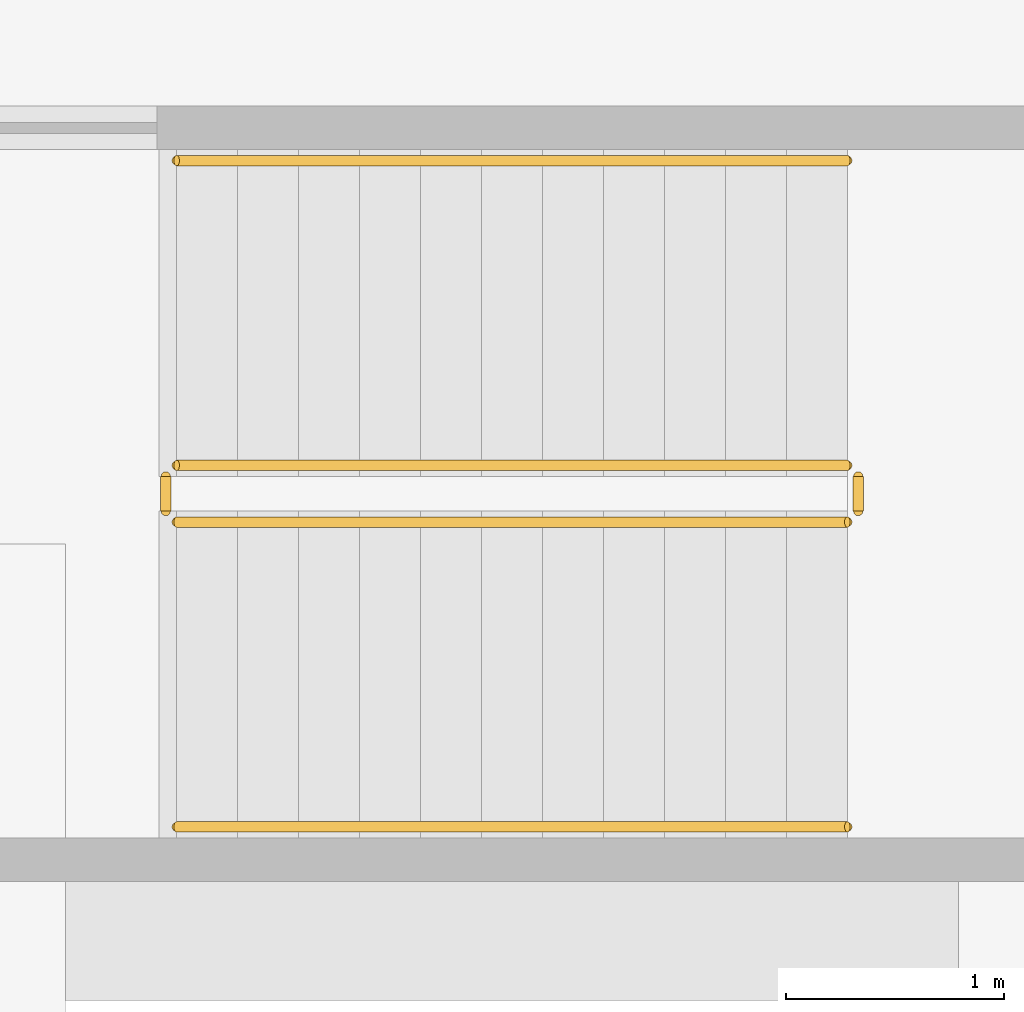
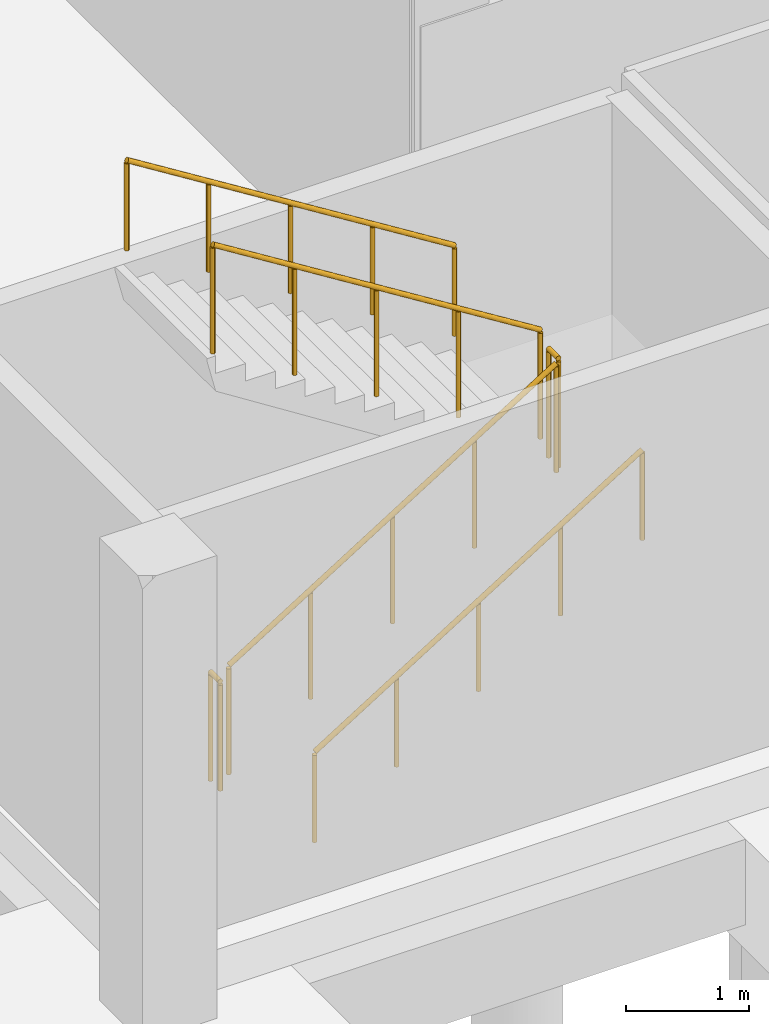
# One storey, part 23 of 27: 6 railings.
"""IFC4 building model written with IfcOpenShell, lengths in metres."""

import ifcopenshell
import ifcopenshell.guid

model = None  # the IFC model being written
_history = None  # IfcOwnerHistory: only IFC2X3 demands one
_inside = {}  # id of a spatial element -> (the spatial element, [elements in it])
_under = {}  # id of a project, library or spatial element -> (it, [spatial elements below it])
_declared = {}  # id of a project -> (the project, [libraries it declares])
_typed = {}  # id of a type object -> (the type object, [elements of that type])
_made_of = {}  # id of a material, layer set ... -> (it, [elements and type objects made of it])


def new_model(schema):
    """Start an empty IFC model of exactly this schema.

    Asked for "IFC4X3", IfcOpenShell would pick the latest addendum, in which some entities
    have other attributes; the version numbers below select the first issue.
    IFC2X3 requires an IfcOwnerHistory on every rooted entity: one is made here for all.
    """
    global model, _history
    if schema == "IFC4X3":
        model = ifcopenshell.file(schema_version=(4, 3, 0, 0))
    else:
        model = ifcopenshell.file(schema=schema)
    _inside.clear()
    _under.clear()
    _declared.clear()
    _typed.clear()
    _made_of.clear()
    _history = None
    if model.schema == "IFC2X3":
        org = make("IfcOrganization", Name="unknown")
        user = make(
            "IfcPersonAndOrganization",
            ThePerson=make("IfcPerson", FamilyName="unknown"),
            TheOrganization=org,
        )
        app = make(
            "IfcApplication",
            ApplicationDeveloper=org,
            Version="unknown",
            ApplicationFullName="unknown",
            ApplicationIdentifier="unknown",
        )
        _history = make(
            "IfcOwnerHistory",
            OwningUser=user,
            OwningApplication=app,
            ChangeAction="ADDED",
            CreationDate=0,
        )
    return model


def make(cls, **values):
    """One entity of the class cls with the attributes given. An attribute that is None is left unset."""
    return model.create_entity(
        cls, **{name: value for name, value in values.items() if value is not None}
    )


def rooted(cls, **values):
    """An entity with a GlobalId (a new one), such as an element, a storey or a relation."""
    return make(cls, GlobalId=ifcopenshell.guid.new(), OwnerHistory=_history, **values)


def si_unit(unit_type, name, prefix=None):
    """IfcSIUnit, for example si_unit("LENGTHUNIT", "METRE", prefix="MILLI")."""
    return make("IfcSIUnit", UnitType=unit_type, Prefix=prefix, Name=name)


def assignment(units):
    """IfcUnitAssignment: the units of a project."""
    return None if units is None else make("IfcUnitAssignment", Units=units)


def point(xyz):
    """IfcCartesianPoint."""
    return None if xyz is None else make("IfcCartesianPoint", Coordinates=xyz)


def direction(xyz):
    """IfcDirection."""
    return None if xyz is None else make("IfcDirection", DirectionRatios=xyz)


def frame(location, z_axis=None, x_axis=None):
    """IfcAxis2Placement3D, a coordinate frame: its origin and axes. An axis left out is left unset."""
    return make(
        "IfcAxis2Placement3D",
        Location=point(location),
        Axis=direction(z_axis),
        RefDirection=direction(x_axis),
    )


def frame_2d(location, x_axis=None):
    """IfcAxis2Placement2D, a coordinate frame in the plane: its origin and x axis."""
    return make(
        "IfcAxis2Placement2D", Location=point(location), RefDirection=direction(x_axis)
    )


def origin():
    """The frame at (0, 0, 0) with its axes left unset."""
    return frame((0.0, 0.0, 0.0))


def origin_2d():
    """The frame at (0, 0) in the plane with its x axis left unset."""
    return frame_2d((0.0, 0.0))


def place(relative_to, where):
    """IfcLocalPlacement: puts the frame where relative to a parent placement (None: the world)."""
    return make(
        "IfcLocalPlacement", PlacementRelTo=relative_to, RelativePlacement=where
    )


def context(
    kind, dimensions, precision=None, world=None, true_north=None, identifier=None
):
    """IfcGeometricRepresentationContext, for example the 3D "Model" context."""
    return make(
        "IfcGeometricRepresentationContext",
        ContextIdentifier=identifier,
        ContextType=kind,
        CoordinateSpaceDimension=dimensions,
        Precision=precision,
        WorldCoordinateSystem=world,
        TrueNorth=true_north,
    )


def subcontext(parent, identifier, kind, view, scale=None):
    """IfcGeometricRepresentationSubContext, for example "Body" below "Model"."""
    return make(
        "IfcGeometricRepresentationSubContext",
        ContextIdentifier=identifier,
        ContextType=kind,
        ParentContext=parent,
        TargetScale=scale,
        TargetView=view,
    )


def project(units=None, contexts=None):
    """IfcProject with its units and contexts."""
    return rooted(
        "IfcProject",
        Name="project",
        RepresentationContexts=contexts,
        UnitsInContext=assignment(units),
    )


def spatial(cls, under=None, at=None, **own):
    """A site, building, storey or space (cls), placed at a placement, below another one or the project."""
    s = rooted(cls, ObjectPlacement=at, **own)
    if under is not None:
        _under.setdefault(under.id(), (under, []))[1].append(s)
    return s


def profile(cls, at=None, kind="AREA", **sizes):
    """A parametric profile (cls). Its sizes go by their IFC names, for example OverallWidth=200.0."""
    return make(cls, ProfileType=kind, Position=at, **sizes)


def circle(**sizes):
    """IfcCircleProfileDef."""
    return profile("IfcCircleProfileDef", **sizes)


def extrude(swept, where, along, depth):
    """IfcExtrudedAreaSolid: the profile swept, set in the frame where, extruded along a direction by depth."""
    return make(
        "IfcExtrudedAreaSolid",
        SweptArea=swept,
        Position=where,
        ExtrudedDirection=direction(along),
        Depth=depth,
    )


def shape(context_of_items, identifier, shape_type, items):
    """IfcShapeRepresentation: the items that make up one representation, for example the "Body"."""
    return make(
        "IfcShapeRepresentation",
        ContextOfItems=context_of_items,
        RepresentationIdentifier=identifier,
        RepresentationType=shape_type,
        Items=items,
    )


def material(Name=None, Category=None):
    """IfcMaterial."""
    return make("IfcMaterial", Name=Name, Category=Category)


def made_of(thing, what):
    """Note that an element or type object is made of a material, layer set ...; save() writes the relation."""
    if what is not None:
        _made_of.setdefault(what.id(), (what, []))[1].append(thing)
    return thing


def type_object(cls, material=None, **own):
    """A type object (cls), such as IfcWallType, which elements share."""
    return made_of(rooted(cls, **own), material)


def element(
    cls,
    number,
    at=None,
    inside=None,
    cuts=None,
    type_object=None,
    material=None,
    context=None,
    identifier="Body",
    shape_type=None,
    held_by="IfcProductDefinitionShape",
    body=None,
    shapes=None,
    **own,
):
    """One element of the class cls, such as IfcWall. Its Tag is "e" and its number.

    at: its placement. inside: the storey or other place that contains it. cuts: it is an
    opening in that element (IfcRelVoidsElement). A single representation is given by context,
    identifier, shape_type and body (its items); several are given by shapes. held_by: the class
    of the entity that holds the representations. save() writes the other relations.
    """
    e = rooted(cls, Tag="e%d" % number, ObjectPlacement=at, **own)
    if body is not None:
        shapes = [shape(context, identifier, shape_type, body)]
    if shapes is not None:
        e.Representation = make(held_by, Representations=shapes)
    if inside is not None:
        _inside.setdefault(inside.id(), (inside, []))[1].append(e)
    if cuts is not None:
        rooted(
            "IfcRelVoidsElement", RelatingBuildingElement=cuts, RelatedOpeningElement=e
        )
    if type_object is not None:
        _typed.setdefault(type_object.id(), (type_object, []))[1].append(e)
    return made_of(e, material)


def aggregate(whole, parts):
    """IfcRelAggregates: a whole, such as a stair, and the parts it consists of."""
    return rooted("IfcRelAggregates", RelatingObject=whole, RelatedObjects=parts)


def save(model, path):
    """Write the relations noted so far, then the file.

    IfcRelAggregates (storeys below a building ...), IfcRelContainedInSpatialStructure (elements
    in a storey), IfcRelDefinesByType, IfcRelAssociatesMaterial and IfcRelDeclares: one each for
    every whole, place, type object, material and project.
    """
    for whole, parts in _under.values():
        aggregate(whole, parts)
    for where, things in _inside.values():
        rooted(
            "IfcRelContainedInSpatialStructure",
            RelatedElements=things,
            RelatingStructure=where,
        )
    for kind, things in _typed.values():
        rooted("IfcRelDefinesByType", RelatedObjects=things, RelatingType=kind)
    for what, things in _made_of.values():
        rooted("IfcRelAssociatesMaterial", RelatedObjects=things, RelatingMaterial=what)
    for by, libraries in _declared.values():
        rooted("IfcRelDeclares", RelatingContext=by, RelatedDefinitions=libraries)
    model.write(path)


model = new_model("IFC4")

# Units and contexts
model_context = context("Model", 3, precision=1e-05, world=origin(), true_north=direction((0.0, 1.0)))
body_context = subcontext(model_context, "Body", "Model", "MODEL_VIEW")
ifc_project = project(units=[si_unit("LENGTHUNIT", "METRE"), si_unit("AREAUNIT", "SQUARE_METRE"), si_unit("VOLUMEUNIT", "CUBIC_METRE"), si_unit("PLANEANGLEUNIT", "RADIAN"), si_unit("MASSUNIT", "GRAM", prefix="KILO")], contexts=[model_context])

# Site, building, storey
site_placement = place(None, origin())
site = spatial("IfcSite", under=ifc_project, at=site_placement, CompositionType="ELEMENT")
building_placement = place(site_placement, origin())
building = spatial("IfcBuilding", under=site, at=building_placement, Name="Ciguamira Faculty of Natural Sciences", CompositionType="ELEMENT")
storey_placement = place(building_placement, frame((0.0, 0.0, -4.199951171875)))
storey = spatial("IfcBuildingStorey", under=building, at=storey_placement, Name="B1", CompositionType="ELEMENT", Elevation=-4.199951171875)

# Railings
ifc_material_1 = material(Name="Stainless steel balustrade", Category="steel")
railing_type_1 = type_object("IfcRailingType", Name="Guardrail_GR01", PredefinedType="GUARDRAIL", material=ifc_material_1)
railing_1_placement = place(storey_placement, frame((59.06005859375, 46.89990234375, 0.175048828125)))
element("IfcRailing", 1, at=railing_1_placement, inside=storey, type_object=railing_type_1, Name="B1 ST-W1 stair guard 1", PredefinedType="GUARDRAIL", context=body_context, shape_type="SweptSolid", body=[
    extrude(circle(Radius=0.02392578125, at=origin_2d()), frame((0.0, 0.0, 1.076171875), z_axis=(0.848009633417, 0.0, 0.529980812513), x_axis=(0.0, 1.0, 0.0)), (0.0, 0.0, 1.0), 3.6318359375),
    extrude(circle(Radius=0.02099609375, at=origin_2d()), origin(), (0.0, 0.0, 1.0), 1.052001953125),
    extrude(circle(Radius=0.02099609375, at=origin_2d()), frame((0.77001953125, 0.0, 0.481201171875)), (0.0, 0.0, 1.0), 1.052001953125),
    extrude(circle(Radius=0.02099609375, at=origin_2d()), frame((1.5400390625, 0.0, 0.96240234375)), (0.0, 0.0, 1.0), 1.052001953125),
    extrude(circle(Radius=0.02099609375, at=origin_2d()), frame((2.309814453125, 0.0, 1.443603515625)), (0.0, 0.0, 1.0), 1.052001953125),
    extrude(circle(Radius=0.02099609375, at=origin_2d()), frame((3.079833984375, 0.0, 1.9248046875)), (0.0, 0.0, 1.0), 1.052001953125),
])
railing_2_placement = place(storey_placement, frame((62.18994140625, 46.949951171875, 2.099853515625)))
element("IfcRailing", 2, at=railing_2_placement, inside=storey, type_object=railing_type_1, Name="B1 ST-W1 stair guard 2", PredefinedType="GUARDRAIL", context=body_context, shape_type="SweptSolid", body=[
    extrude(circle(Radius=0.02392578125, at=origin_2d()), frame((0.0, 0.0, 1.076171875), z_axis=(0.0, 1.0, 0.0), x_axis=(-1.0, 0.0, 0.0)), (0.0, 0.0, 1.0), 0.16015625),
    extrude(circle(Radius=0.02099609375, at=origin_2d()), origin(), (0.0, 0.0, 1.0), 1.052001953125),
    extrude(circle(Radius=0.02099609375, at=origin_2d()), frame((0.0, 0.16015625, 0.0)), (0.0, 0.0, 1.0), 1.052001953125),
])
railing_3_placement = place(storey_placement, frame((62.139892578125, 47.159912109375, 2.27490234375)))
element("IfcRailing", 3, at=railing_3_placement, inside=storey, type_object=railing_type_1, Name="B1 ST-W1 stair guard 3", PredefinedType="GUARDRAIL", context=body_context, shape_type="SweptSolid", body=[
    extrude(circle(Radius=0.02392578125, at=origin_2d()), frame((0.0, 0.0, 1.076171875), z_axis=(-0.847979421464, 0.0, 0.530029150871), x_axis=(0.0, -1.0, 0.0)), (0.0, 0.0, 1.0), 3.632080078125),
    extrude(circle(Radius=0.02099609375, at=origin_2d()), origin(), (0.0, 0.0, 1.0), 1.052001953125),
    extrude(circle(Radius=0.02099609375, at=origin_2d()), frame((-0.77001953125, 0.0, 0.481201171875)), (0.0, 0.0, 1.0), 1.052001953125),
    extrude(circle(Radius=0.02099609375, at=origin_2d()), frame((-1.5400390625, 0.0, 0.96240234375)), (0.0, 0.0, 1.0), 1.052001953125),
    extrude(circle(Radius=0.02099609375, at=origin_2d()), frame((-2.309814453125, 0.0, 1.44384765625)), (0.0, 0.0, 1.0), 1.052001953125),
    extrude(circle(Radius=0.02099609375, at=origin_2d()), frame((-3.079833984375, 0.0, 1.925048828125)), (0.0, 0.0, 1.0), 1.052001953125),
])
railing_4_placement = place(storey_placement, frame((59.010009765625, 46.949951171875, 0.0)))
element("IfcRailing", 4, at=railing_4_placement, inside=storey, type_object=railing_type_1, Name="B1 ST-W1 stair guard 4", PredefinedType="GUARDRAIL", context=body_context, shape_type="SweptSolid", body=[
    extrude(circle(Radius=0.02392578125, at=origin_2d()), frame((0.0, 0.0, 1.076171875), z_axis=(0.0, 1.0, 0.0), x_axis=(-1.0, 0.0, 0.0)), (0.0, 0.0, 1.0), 0.16015625),
    extrude(circle(Radius=0.02099609375, at=origin_2d()), origin(), (0.0, 0.0, 1.0), 1.052001953125),
    extrude(circle(Radius=0.02099609375, at=origin_2d()), frame((0.0, 0.16015625, 0.0)), (0.0, 0.0, 1.0), 1.052001953125),
])
ifc_material_2 = material(Name="Stainless steel handrail", Category="steel")
railing_type_2 = type_object("IfcRailingType", Name="Handrail_HR01", PredefinedType="HANDRAIL", material=ifc_material_2)
railing_5_placement = place(storey_placement, frame((59.06005859375, 45.5, 0.349853515625)))
element("IfcRailing", 5, at=railing_5_placement, inside=storey, type_object=railing_type_2, Name="B1 ST-W1 stair handrail 1", PredefinedType="HANDRAIL", context=body_context, shape_type="SweptSolid", body=[
    extrude(circle(Radius=0.02392578125, at=origin_2d()), frame((0.0, 0.0, 0.89111328125), z_axis=(0.847979421464, 0.0, 0.530029150871), x_axis=(0.0, 1.0, 0.0)), (0.0, 0.0, 1.0), 3.632080078125),
    extrude(circle(Radius=0.02099609375, at=origin_2d()), origin(), (0.0, 0.0, 1.0), 0.866943359375),
    extrude(circle(Radius=0.02099609375, at=origin_2d()), frame((0.77001953125, 0.0, 0.481201171875)), (0.0, 0.0, 1.0), 0.866943359375),
    extrude(circle(Radius=0.02099609375, at=origin_2d()), frame((1.5400390625, 0.0, 0.96240234375)), (0.0, 0.0, 1.0), 0.866943359375),
    extrude(circle(Radius=0.02099609375, at=origin_2d()), frame((2.309814453125, 0.0, 1.44384765625)), (0.0, 0.0, 1.0), 0.866943359375),
    extrude(circle(Radius=0.02099609375, at=origin_2d()), frame((3.079833984375, 0.0, 1.925048828125)), (0.0, 0.0, 1.0), 0.866943359375),
])
railing_6_placement = place(storey_placement, frame((62.139892578125, 48.56005859375, 2.449951171875)))
element("IfcRailing", 6, at=railing_6_placement, inside=storey, type_object=railing_type_2, Name="B1 ST-W1 stair handrail 2", PredefinedType="HANDRAIL", context=body_context, shape_type="SweptSolid", body=[
    extrude(circle(Radius=0.02392578125, at=origin_2d()), frame((0.0, 0.0, 0.89111328125), z_axis=(-0.847979421464, 0.0, 0.530029150871), x_axis=(0.0, -1.0, 0.0)), (0.0, 0.0, 1.0), 3.632080078125),
    extrude(circle(Radius=0.02099609375, at=origin_2d()), origin(), (0.0, 0.0, 1.0), 0.866943359375),
    extrude(circle(Radius=0.02099609375, at=origin_2d()), frame((-0.77001953125, 0.0, 0.481201171875)), (0.0, 0.0, 1.0), 0.866943359375),
    extrude(circle(Radius=0.02099609375, at=origin_2d()), frame((-1.5400390625, 0.0, 0.96240234375)), (0.0, 0.0, 1.0), 0.866943359375),
    extrude(circle(Radius=0.02099609375, at=origin_2d()), frame((-2.309814453125, 0.0, 1.44384765625)), (0.0, 0.0, 1.0), 0.866943359375),
    extrude(circle(Radius=0.02099609375, at=origin_2d()), frame((-3.079833984375, 0.0, 1.925048828125)), (0.0, 0.0, 1.0), 0.866943359375),
])

save(model, "model.ifc")
